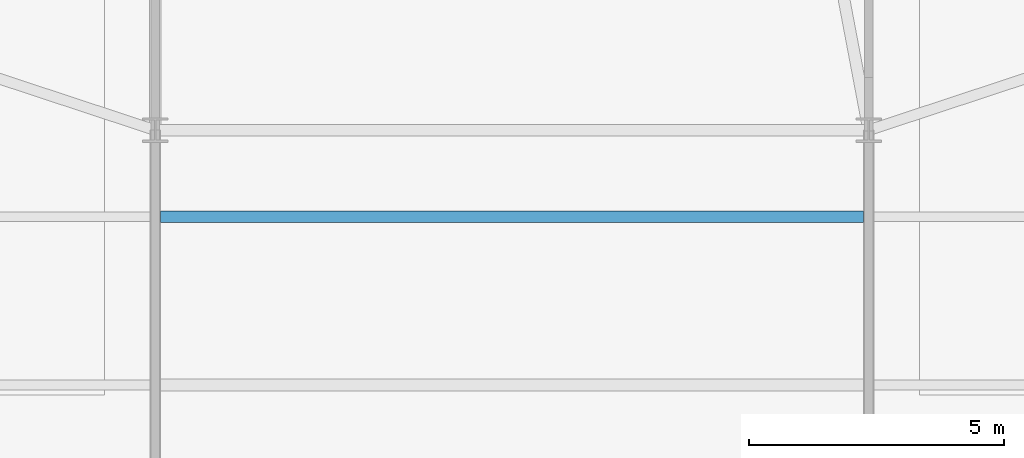
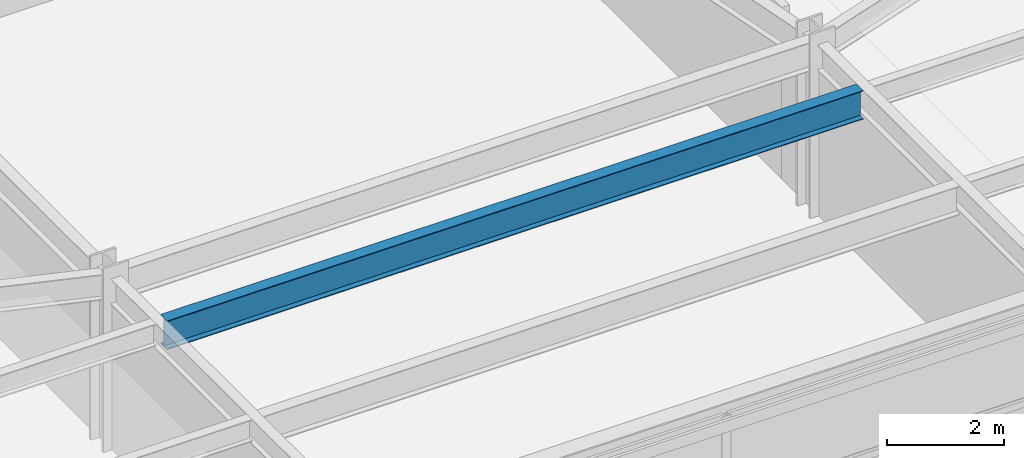
# One storey, part 13 of 26: 1 beam.
"""IFC4 building model written with IfcOpenShell, lengths in metres."""

from ifc_helpers import new_model, si_unit, direction, frame, origin, origin_2d, place, context, subcontext, project, spatial, i_section, extrude, source, transform, mapped, material, material_profile, profile_set, type_object, element, save


model = new_model("IFC4")

# Units and contexts
model_context = context("Model", 3, precision=1e-05, world=origin(), true_north=direction((0.0, 1.0)))
body_context = subcontext(model_context, "Body", "Model", "MODEL_VIEW")
ifc_project = project(units=[si_unit("LENGTHUNIT", "METRE"), si_unit("AREAUNIT", "SQUARE_METRE"), si_unit("VOLUMEUNIT", "CUBIC_METRE"), si_unit("PLANEANGLEUNIT", "RADIAN"), si_unit("MASSUNIT", "GRAM", prefix="KILO")], contexts=[model_context])

# Site, building, storey
site_placement = place(None, origin())
site = spatial("IfcSite", under=ifc_project, at=site_placement, CompositionType="ELEMENT")
building_placement = place(site_placement, origin())
building = spatial("IfcBuilding", under=site, at=building_placement, Name="Taldren Reach Tower", CompositionType="ELEMENT")
storey_placement = place(building_placement, frame((0.0, 0.0, 4.550048828125)))
storey = spatial("IfcBuildingStorey", under=building, at=storey_placement, Name="L01", CompositionType="ELEMENT", Elevation=4.550048828125)

# Beam
ifc_material = material(Name="Steel Gr 350 (350PLUS)", Category="steel")
ifc_material_profile = material_profile(ifc_material, i_section(OverallWidth=0.22802734375, OverallDepth=0.60205078125, WebThickness=0.010498046875, FlangeThickness=0.014892578125, at=origin_2d()), Name="610UB101")
ifc_profile_set = profile_set([ifc_material_profile], Name="Steel Gr 350 (350PLUS)")
beam_type = type_object("IfcBeamType", Name="BM-UB610B", PredefinedType="BEAM", material=ifc_profile_set)
shared_shape = source(origin(), body_context, "Body", "SweptSolid", [
    extrude(i_section(OverallWidth=0.22802734375, OverallDepth=0.60205078125, WebThickness=0.010498046875, FlangeThickness=0.014892578125, at=origin_2d()), origin(), (0.0, 0.0, 1.0), 13.791015625),
])
beam_placement = place(storey_placement, frame((28.1044921875, 7.5, 3.2890625), z_axis=(1.0, 0.0, 0.0), x_axis=(0.0, 1.0, 0.0)))
element("IfcBeam", 1, at=beam_placement, inside=storey, type_object=beam_type, Name="Podium composite floor beam L01-2.2", PredefinedType="BEAM", context=body_context, shape_type="MappedRepresentation", body=[
    mapped(shared_shape, transform((0.0, 0.0, 0.0), scale=1.0)),
])

save(model, "model.ifc")
